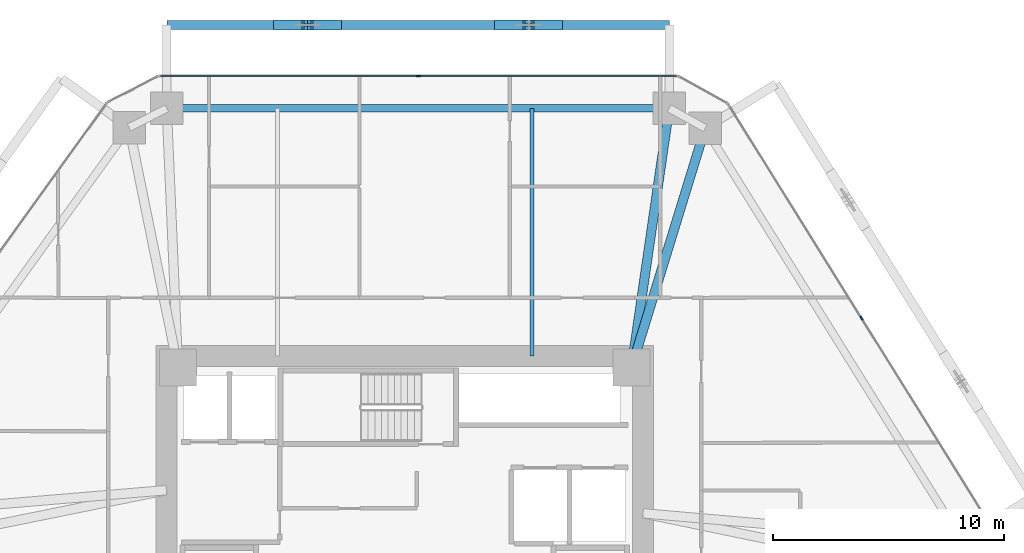
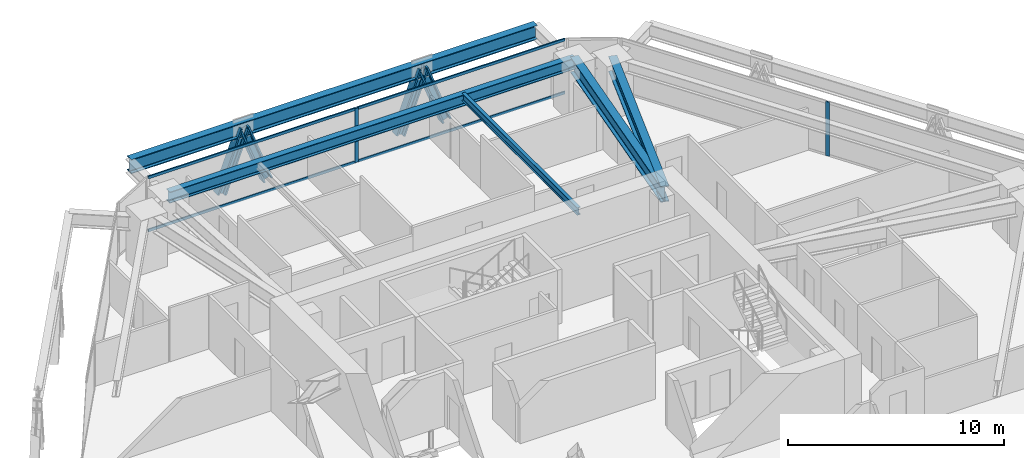
# One storey, part 8 of 17: 10 members, 5 beams, 2 elements without a shape of their own.
"""IFC4 building model written with IfcOpenShell, lengths in metres."""

from ifc_helpers import new_model, si_unit, direction, frame, origin, origin_2d, place, context, subcontext, project, spatial, rectangle, i_section, extrude, source, transform, mapped, material, layer, layer_set, material_profile, profile_set, type_object, type_shapes, element, aggregate, save


model = new_model("IFC4")

# Units and contexts
model_context = context("Model", 3, precision=1e-05, world=origin(), true_north=direction((0.0, 1.0)))
body_context = subcontext(model_context, "Body", "Model", "MODEL_VIEW")
ifc_project = project(units=[si_unit("LENGTHUNIT", "METRE"), si_unit("AREAUNIT", "SQUARE_METRE"), si_unit("VOLUMEUNIT", "CUBIC_METRE"), si_unit("PLANEANGLEUNIT", "RADIAN"), si_unit("MASSUNIT", "GRAM", prefix="KILO")], contexts=[model_context])

# Site, building, storey
site_placement = place(None, origin())
site = spatial("IfcSite", under=ifc_project, at=site_placement, CompositionType="ELEMENT")
building_placement = place(site_placement, origin())
building = spatial("IfcBuilding", under=site, at=building_placement, Name="Durnholm Broadcast Tower", CompositionType="ELEMENT")
storey_placement = place(building_placement, frame((0.0, 0.0, 45.60009765625)))
storey = spatial("IfcBuildingStorey", under=building, at=storey_placement, Name="L10", CompositionType="ELEMENT", Elevation=45.60009765625)

# Beams
ifc_material_1 = material(Name="Steel ASTM A992 Grade 50", Category="steel")
ifc_material_profile_1 = material_profile(ifc_material_1, i_section(OverallWidth=0.3291015625, OverallDepth=0.635009765625, WebThickness=0.017822265625, FlangeThickness=0.031005859375, FilletRadius=0.02783203125, at=origin_2d()), Name="W24X162")
ifc_profile_set_1 = profile_set([ifc_material_profile_1], Name="Steel ASTM A992 Grade 50")
beam_type_1 = type_object("IfcBeamType", Name="STL-SP-W24X162", PredefinedType="SPANDREL", material=ifc_profile_set_1)
shared_shape_1 = source(origin(), body_context, "Body", "SweptSolid", [
    extrude(i_section(OverallWidth=0.3291015625, OverallDepth=0.635009765625, WebThickness=0.017822265625, FlangeThickness=0.031005859375, FilletRadius=0.02783203125, at=origin_2d()), origin(), (0.0, 0.0, 1.0), 21.7138671875),
])
type_shapes(beam_type_1, [shared_shape_1])
beam_1_placement = place(storey_placement, frame((-10.28271484375, 19.0, 2.727294921875), z_axis=(1.0, 0.0, 0.0), x_axis=(0.0, 1.0, 0.0)))
element("IfcBeam", 1, at=beam_1_placement, inside=storey, type_object=beam_type_1, Name="L10 perimeter spandrel girder 05", PredefinedType="SPANDREL", context=body_context, shape_type="MappedRepresentation", body=[
    mapped(shared_shape_1, transform((0.0, 0.0, 0.0), x_axis=(1.0, 0.0, 0.0), y_axis=(0.0, 1.0, 0.0), z_axis=(0.0, 0.0, 1.0), scale=1.0)),
])
ifc_material_profile_2 = material_profile(ifc_material_1, i_section(OverallWidth=0.404052734375, OverallDepth=0.885009765625, WebThickness=0.0244140625, FlangeThickness=0.0439453125, FilletRadius=0.03564453125, at=origin_2d()), Name="W33X291")
ifc_profile_set_2 = profile_set([ifc_material_profile_2], Name="Steel ASTM A992 Grade 50")
beam_type_2 = type_object("IfcBeamType", Name="STL-GR-W33X291", PredefinedType="USERDEFINED", material=ifc_profile_set_2)
shared_shape_2 = source(origin(), body_context, "Body", "SweptSolid", [
    extrude(i_section(OverallWidth=0.404052734375, OverallDepth=0.885009765625, WebThickness=0.0244140625, FlangeThickness=0.0439453125, FilletRadius=0.03564453125, at=origin_2d()), origin(), (0.0, 0.0, 1.0), 11.318115234375),
])
beam_2_placement = place(storey_placement, frame((9.800048828125, 7.800048828125, 2.602294921875), z_axis=(0.144114595679, 0.989561005352, 0.0), x_axis=(-0.989561005352, 0.144114595679, 0.0)))
element("IfcBeam", 2, at=beam_2_placement, inside=storey, type_object=beam_type_2, Name="L10 radial primary floor girder 06", ObjectType="GIRDER", PredefinedType="USERDEFINED", context=body_context, shape_type="MappedRepresentation", body=[
    mapped(shared_shape_2, transform((0.0, 0.0, 0.0), x_axis=(1.0, 0.0, 0.0), y_axis=(0.0, 1.0, 0.0), z_axis=(0.0, 0.0, 1.0), scale=1.0)),
])
shared_shape_3 = source(origin(), body_context, "Body", "SweptSolid", [
    extrude(i_section(OverallWidth=0.404052734375, OverallDepth=0.885009765625, WebThickness=0.0244140625, FlangeThickness=0.0439453125, FilletRadius=0.03564453125, at=origin_2d()), origin(), (0.0, 0.0, 1.0), 10.817138671875),
])
type_shapes(beam_type_2, [shared_shape_2, shared_shape_3])
beam_3_placement = place(storey_placement, frame((9.800048828125, 7.800048828125, 2.602294921875), z_axis=(0.294219068418, 0.955738007918, 0.0), x_axis=(-0.955738007918, 0.294219068418, 0.0)))
element("IfcBeam", 3, at=beam_3_placement, inside=storey, type_object=beam_type_2, Name="L10 radial primary floor girder 07", ObjectType="GIRDER", PredefinedType="USERDEFINED", context=body_context, shape_type="MappedRepresentation", body=[
    mapped(shared_shape_3, transform((0.0, 0.0, 0.0), x_axis=(1.0, 0.0, 0.0), y_axis=(0.0, 1.0, 0.0), z_axis=(0.0, 0.0, 1.0), scale=1.0)),
])
ifc_material_profile_3 = material_profile(ifc_material_1, i_section(OverallWidth=0.180908203125, OverallDepth=0.417236328125, WebThickness=0.010986328125, FlangeThickness=0.018310546875, FilletRadius=0.01904296875, at=origin_2d()), Name="W16X57")
ifc_profile_set_3 = profile_set([ifc_material_profile_3], Name="Steel ASTM A992 Grade 50")
beam_type_3 = type_object("IfcBeamType", Name="STL-BJ-W16X57", PredefinedType="JOIST", material=ifc_profile_set_3)
shared_shape_4 = source(origin(), body_context, "Body", "SweptSolid", [
    extrude(i_section(OverallWidth=0.180908203125, OverallDepth=0.417236328125, WebThickness=0.010986328125, FlangeThickness=0.018310546875, FilletRadius=0.01904296875, at=origin_2d()), origin(), (0.0, 0.0, 1.0), 10.699951171875),
])
type_shapes(beam_type_3, [shared_shape_4])
beam_4_placement = place(storey_placement, frame((5.5, 8.300048828125, 2.836181640625), z_axis=(0.0, 1.0, 0.0), x_axis=(-1.0, 0.0, 0.0)))
element("IfcBeam", 4, at=beam_4_placement, inside=storey, type_object=beam_type_3, Name="L10 secondary floor joist 4.2", PredefinedType="JOIST", context=body_context, shape_type="MappedRepresentation", body=[
    mapped(shared_shape_4, transform((0.0, 0.0, 0.0), x_axis=(1.0, 0.0, 0.0), y_axis=(0.0, 1.0, 0.0), z_axis=(0.0, 0.0, 1.0), scale=1.0)),
])
ifc_material_profile_4 = material_profile(ifc_material_1, i_section(OverallWidth=0.385009765625, OverallDepth=0.802978515625, WebThickness=0.023681640625, FlangeThickness=0.0419921875, FilletRadius=0.032958984375, at=origin_2d()), Name="W30X261")
ifc_profile_set_4 = profile_set([ifc_material_profile_4], Name="Steel ASTM A992 Grade 50")
beam_type_4 = type_object("IfcBeamType", Name="BM-EXO-TIE", PredefinedType="USERDEFINED", material=ifc_profile_set_4)
shared_shape_5 = source(origin(), body_context, "Body", "SweptSolid", [
    extrude(i_section(OverallWidth=0.385009765625, OverallDepth=0.802978515625, WebThickness=0.023681640625, FlangeThickness=0.0419921875, FilletRadius=0.032958984375, at=origin_2d()), origin(), (0.0, 0.0, 1.0), 21.7138671875),
])
type_shapes(beam_type_4, [shared_shape_5])
beam_5_placement = place(storey_placement, frame((11.43115234375, 22.60009765625, 2.308349609375), z_axis=(-1.0, 0.0, 0.0), x_axis=(0.0, -1.0, 0.0)))
element("IfcBeam", 5, at=beam_5_placement, inside=storey, type_object=beam_type_4, Name="L10 exoskeleton collector spandrel F4", PredefinedType="SPANDREL", context=body_context, shape_type="MappedRepresentation", body=[
    mapped(shared_shape_5, transform((0.0, 0.0, 0.0), x_axis=(1.0, 0.0, 0.0), y_axis=(0.0, 1.0, 0.0), z_axis=(0.0, 0.0, 1.0), scale=1.0)),
])

# Members
ifc_material_2 = material(Name="Steel ASTM A913 Grade 65", Category="steel")
ifc_material_profile_5 = material_profile(ifc_material_2, i_section(OverallWidth=0.43212890625, OverallDepth=0.497802734375, WebThickness=0.0556640625, FlangeThickness=0.0888671875, FilletRadius=0.030517578125, at=origin_2d()), Name="W14X500")
ifc_profile_set_5 = profile_set([ifc_material_profile_5], Name="Steel ASTM A913 Grade 65")
member_type_1 = type_object("IfcMemberType", Name="STL-DG-W14X500", PredefinedType="BRACE", material=ifc_profile_set_5)
shared_shape_6 = source(origin(), body_context, "Body", "SweptSolid", [
    extrude(i_section(OverallWidth=0.43212890625, OverallDepth=0.497802734375, WebThickness=0.0556640625, FlangeThickness=0.0888671875, FilletRadius=0.030517578125, at=origin_2d()), origin(), (0.0, 0.0, 1.0), 3.52294921875),
])
type_shapes(member_type_1, [shared_shape_6])
for number, where, z_axis, x_axis, name in (
    (6, (6.585205078125, 22.60009765625, -0.991455078125), (-0.350242321485, 0.0, 0.93665912489), (0.0, -1.0, 0.0), "L10 stand-off diagrid brace F4.D1.1"),
    (7, (4.117431640625, 22.60009765625, -0.991455078125), (0.350242321485, 0.0, 0.93665912489), (0.0, 1.0, 0.0), "L10 stand-off diagrid brace F4.D1.2"),
    (8, (-2.968994140625, 22.60009765625, -0.991455078125), (-0.350242321485, 0.0, 0.93665912489), (0.0, -1.0, 0.0), "L10 stand-off diagrid brace F4.D2.1"),
    (9, (-5.436767578125, 22.60009765625, -0.991455078125), (0.350242321485, 0.0, 0.93665912489), (0.0, 1.0, 0.0), "L10 stand-off diagrid brace F4.D2.2"),
):
    element("IfcMember", number, at=place(storey_placement, frame(where, z_axis=z_axis, x_axis=x_axis)), inside=storey, type_object=member_type_1, Name=name, PredefinedType="BRACE", context=body_context, shape_type="MappedRepresentation", body=[
        mapped(shared_shape_6, transform((0.0, 0.0, 0.0), x_axis=(1.0, 0.0, 0.0), y_axis=(0.0, 1.0, 0.0), z_axis=(0.0, 0.0, 1.0), scale=1.0)),
    ])

# Curtain wall, members
ifc_material_3 = material(Name="Aluminium and Solar Control IGU", Category="aluminium")
ifc_layer = layer(ifc_material_3, 0.18994140625)
ifc_layer_set = layer_set([ifc_layer], Name="Aluminium and Solar Control IGU")
curtain_wall_type = type_object("IfcCurtainWallType", Name="CW-SYS-3", PredefinedType="NOTDEFINED", material=ifc_layer_set)
curtain_wall_1_placement = place(storey_placement, origin())
curtain_wall_1 = element("IfcCurtainWall", 10, at=curtain_wall_1_placement, inside=storey, type_object=curtain_wall_type, Name="L10 curtain wall CW-Z12-VIS CW-L10-F04", PredefinedType="NOTDEFINED")
ifc_material_4 = material(Name="Aluminium 6063-T6", Category="aluminium")
ifc_material_profile_6 = material_profile(ifc_material_4, rectangle(XDim=0.070068359375, YDim=0.14990234375, at=origin_2d()), Name="CWT70X150")
ifc_profile_set_6 = profile_set([ifc_material_profile_6], Name="Aluminium 6063-T6")
member_type_2 = type_object("IfcMemberType", Name="CW-SYS-3-TRN", PredefinedType="USERDEFINED", material=ifc_profile_set_6)
shared_shape_7 = source(origin(), body_context, "Body", "SweptSolid", [
    extrude(rectangle(XDim=0.070068359375, YDim=0.14990234375, at=origin_2d()), origin(), (0.0, 0.0, 1.0), 11.10205078125),
])
type_shapes(member_type_2, [shared_shape_7])
member_1_placement = place(storey_placement, frame((-10.55029296875, 20.39990234375, 0.034912109375), z_axis=(1.0, 0.0, 0.0), x_axis=(0.0, 1.0, 0.0)))
member_1 = element("IfcMember", 11, at=member_1_placement, type_object=member_type_2, Name="CW-Z12-VIS transom 1.1", ObjectType="TRANSOM", PredefinedType="USERDEFINED", context=body_context, shape_type="MappedRepresentation", body=[
    mapped(shared_shape_7, transform((0.0, 0.0, 0.0), x_axis=(1.0, 0.0, 0.0), y_axis=(0.0, 1.0, 0.0), z_axis=(0.0, 0.0, 1.0), scale=1.0)),
])
member_2_placement = place(storey_placement, frame((-10.55029296875, 20.39990234375, 3.02490234375), z_axis=(1.0, 0.0, 0.0), x_axis=(0.0, 1.0, 0.0)))
member_2 = element("IfcMember", 12, at=member_2_placement, type_object=member_type_2, Name="CW-Z12-VIS transom 1.2", ObjectType="TRANSOM", PredefinedType="USERDEFINED", context=body_context, shape_type="MappedRepresentation", body=[
    mapped(shared_shape_7, transform((0.0, 0.0, 0.0), x_axis=(1.0, 0.0, 0.0), y_axis=(0.0, 1.0, 0.0), z_axis=(0.0, 0.0, 1.0), scale=1.0)),
])
member_3_placement = place(storey_placement, frame((0.621826171875, 20.39990234375, 0.034912109375), z_axis=(1.0, 0.0, 0.0), x_axis=(0.0, 1.0, 0.0)))
member_3 = element("IfcMember", 13, at=member_3_placement, type_object=member_type_2, Name="CW-Z12-VIS transom 2.1", ObjectType="TRANSOM", PredefinedType="USERDEFINED", context=body_context, shape_type="MappedRepresentation", body=[
    mapped(shared_shape_7, transform((0.0, 0.0, 0.0), x_axis=(1.0, 0.0, 0.0), y_axis=(0.0, 1.0, 0.0), z_axis=(0.0, 0.0, 1.0), scale=1.0)),
])
member_4_placement = place(storey_placement, frame((0.621826171875, 20.39990234375, 3.02490234375), z_axis=(1.0, 0.0, 0.0), x_axis=(0.0, 1.0, 0.0)))
member_4 = element("IfcMember", 14, at=member_4_placement, type_object=member_type_2, Name="CW-Z12-VIS transom 2.2", ObjectType="TRANSOM", PredefinedType="USERDEFINED", context=body_context, shape_type="MappedRepresentation", body=[
    mapped(shared_shape_7, transform((0.0, 0.0, 0.0), x_axis=(1.0, 0.0, 0.0), y_axis=(0.0, 1.0, 0.0), z_axis=(0.0, 0.0, 1.0), scale=1.0)),
])
ifc_material_profile_7 = material_profile(ifc_material_4, rectangle(XDim=0.070068359375, YDim=0.18994140625, at=origin_2d()), Name="CWM70X190")
ifc_profile_set_7 = profile_set([ifc_material_profile_7], Name="Aluminium 6063-T6")
member_type_3 = type_object("IfcMemberType", Name="CW-SYS-3-MUL", PredefinedType="MULLION", material=ifc_profile_set_7)
shared_shape_8 = source(origin(), body_context, "Body", "SweptSolid", [
    extrude(rectangle(XDim=0.070068359375, YDim=0.18994140625, at=origin_2d()), origin(), (0.0, 0.0, 1.0), 3.059814453125),
])
type_shapes(member_type_3, [shared_shape_8])
member_5_placement = place(storey_placement, frame((0.5869140625, 20.39990234375, 0.0), z_axis=(0.0, 0.0, 1.0), x_axis=(0.0, 1.0, 0.0)))
member_5 = element("IfcMember", 15, at=member_5_placement, type_object=member_type_3, Name="CW-Z12-VIS mullion 2", PredefinedType="MULLION", context=body_context, shape_type="MappedRepresentation", body=[
    mapped(shared_shape_8, transform((0.0, 0.0, 0.0), x_axis=(1.0, 0.0, 0.0), y_axis=(0.0, 1.0, 0.0), z_axis=(0.0, 0.0, 1.0), scale=1.0)),
])
aggregate(curtain_wall_1, [member_5, member_1, member_2, member_3, member_4])

# Curtain wall, member
curtain_wall_2_placement = place(storey_placement, origin())
curtain_wall_2 = element("IfcCurtainWall", 16, at=curtain_wall_2_placement, inside=storey, type_object=curtain_wall_type, Name="L10 curtain wall CW-Z12-VIS CW-L10-F06", PredefinedType="NOTDEFINED")
member_6_placement = place(storey_placement, frame((19.741943359375, 9.93212890625, 0.0), z_axis=(0.0, 0.0, 1.0), x_axis=(0.848875785503, 0.528592376777, 0.0)))
member_6 = element("IfcMember", 17, at=member_6_placement, type_object=member_type_3, Name="CW-Z12-VIS mullion 2", PredefinedType="MULLION", context=body_context, shape_type="MappedRepresentation", body=[
    mapped(shared_shape_8, transform((0.0, 0.0, 0.0), x_axis=(1.0, 0.0, 0.0), y_axis=(0.0, 1.0, 0.0), z_axis=(0.0, 0.0, 1.0), scale=1.0)),
])
aggregate(curtain_wall_2, [member_6])

save(model, "model.ifc")
